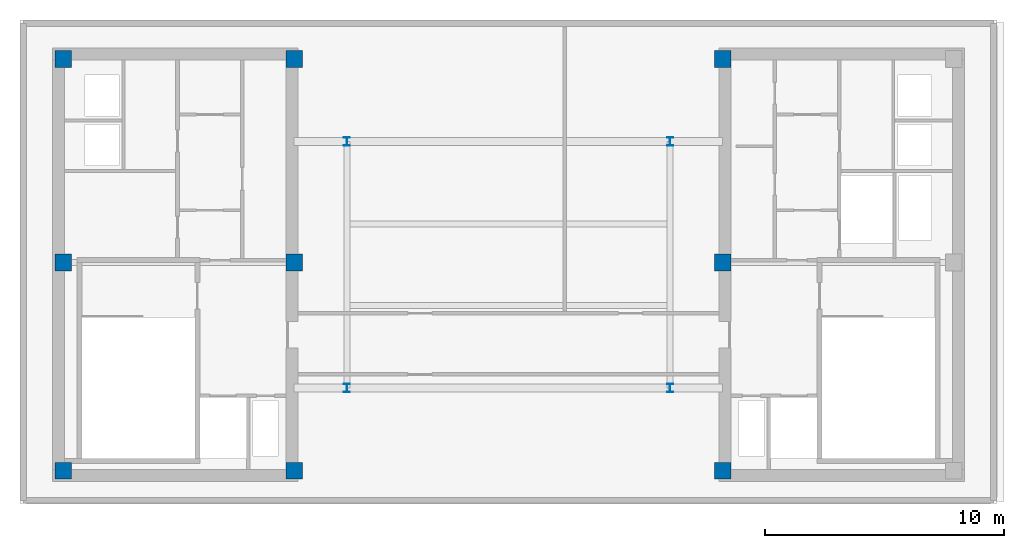
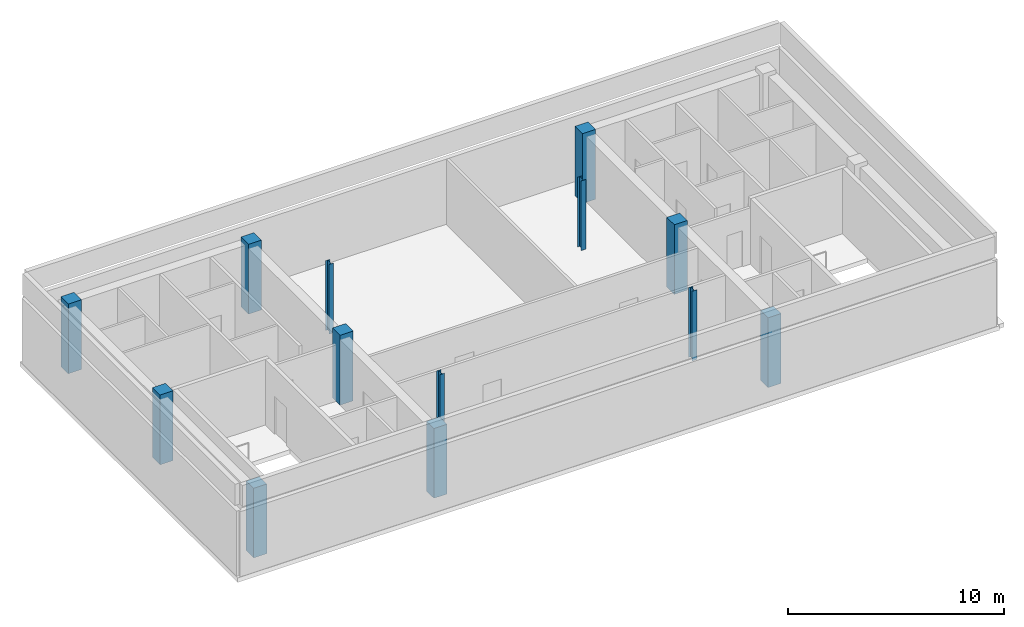
# One storey, part 1 of 4: 13 columns.
"""IFC4 building model written with IfcOpenShell, lengths in metres."""

import ifcopenshell
import ifcopenshell.guid

model = None  # the IFC model being written
_history = None  # IfcOwnerHistory: only IFC2X3 demands one
_inside = {}  # id of a spatial element -> (the spatial element, [elements in it])
_under = {}  # id of a project, library or spatial element -> (it, [spatial elements below it])
_declared = {}  # id of a project -> (the project, [libraries it declares])
_typed = {}  # id of a type object -> (the type object, [elements of that type])
_made_of = {}  # id of a material, layer set ... -> (it, [elements and type objects made of it])


def new_model(schema):
    """Start an empty IFC model of exactly this schema.

    Asked for "IFC4X3", IfcOpenShell would pick the latest addendum, in which some entities
    have other attributes; the version numbers below select the first issue.
    IFC2X3 requires an IfcOwnerHistory on every rooted entity: one is made here for all.
    """
    global model, _history
    if schema == "IFC4X3":
        model = ifcopenshell.file(schema_version=(4, 3, 0, 0))
    else:
        model = ifcopenshell.file(schema=schema)
    _inside.clear()
    _under.clear()
    _declared.clear()
    _typed.clear()
    _made_of.clear()
    _history = None
    if model.schema == "IFC2X3":
        org = make("IfcOrganization", Name="unknown")
        user = make(
            "IfcPersonAndOrganization",
            ThePerson=make("IfcPerson", FamilyName="unknown"),
            TheOrganization=org,
        )
        app = make(
            "IfcApplication",
            ApplicationDeveloper=org,
            Version="unknown",
            ApplicationFullName="unknown",
            ApplicationIdentifier="unknown",
        )
        _history = make(
            "IfcOwnerHistory",
            OwningUser=user,
            OwningApplication=app,
            ChangeAction="ADDED",
            CreationDate=0,
        )
    return model


def make(cls, **values):
    """One entity of the class cls with the attributes given. An attribute that is None is left unset."""
    return model.create_entity(
        cls, **{name: value for name, value in values.items() if value is not None}
    )


def rooted(cls, **values):
    """An entity with a GlobalId (a new one), such as an element, a storey or a relation."""
    return make(cls, GlobalId=ifcopenshell.guid.new(), OwnerHistory=_history, **values)


def si_unit(unit_type, name, prefix=None):
    """IfcSIUnit, for example si_unit("LENGTHUNIT", "METRE", prefix="MILLI")."""
    return make("IfcSIUnit", UnitType=unit_type, Prefix=prefix, Name=name)


def assignment(units):
    """IfcUnitAssignment: the units of a project."""
    return None if units is None else make("IfcUnitAssignment", Units=units)


def point(xyz):
    """IfcCartesianPoint."""
    return None if xyz is None else make("IfcCartesianPoint", Coordinates=xyz)


def direction(xyz):
    """IfcDirection."""
    return None if xyz is None else make("IfcDirection", DirectionRatios=xyz)


def frame(location, z_axis=None, x_axis=None):
    """IfcAxis2Placement3D, a coordinate frame: its origin and axes. An axis left out is left unset."""
    return make(
        "IfcAxis2Placement3D",
        Location=point(location),
        Axis=direction(z_axis),
        RefDirection=direction(x_axis),
    )


def frame_2d(location, x_axis=None):
    """IfcAxis2Placement2D, a coordinate frame in the plane: its origin and x axis."""
    return make(
        "IfcAxis2Placement2D", Location=point(location), RefDirection=direction(x_axis)
    )


def origin():
    """The frame at (0, 0, 0) with its axes left unset."""
    return frame((0.0, 0.0, 0.0))


def origin_2d():
    """The frame at (0, 0) in the plane with its x axis left unset."""
    return frame_2d((0.0, 0.0))


def place(relative_to, where):
    """IfcLocalPlacement: puts the frame where relative to a parent placement (None: the world)."""
    return make(
        "IfcLocalPlacement", PlacementRelTo=relative_to, RelativePlacement=where
    )


def context(
    kind, dimensions, precision=None, world=None, true_north=None, identifier=None
):
    """IfcGeometricRepresentationContext, for example the 3D "Model" context."""
    return make(
        "IfcGeometricRepresentationContext",
        ContextIdentifier=identifier,
        ContextType=kind,
        CoordinateSpaceDimension=dimensions,
        Precision=precision,
        WorldCoordinateSystem=world,
        TrueNorth=true_north,
    )


def subcontext(parent, identifier, kind, view, scale=None):
    """IfcGeometricRepresentationSubContext, for example "Body" below "Model"."""
    return make(
        "IfcGeometricRepresentationSubContext",
        ContextIdentifier=identifier,
        ContextType=kind,
        ParentContext=parent,
        TargetScale=scale,
        TargetView=view,
    )


def project(units=None, contexts=None):
    """IfcProject with its units and contexts."""
    return rooted(
        "IfcProject",
        Name="project",
        RepresentationContexts=contexts,
        UnitsInContext=assignment(units),
    )


def spatial(cls, under=None, at=None, **own):
    """A site, building, storey or space (cls), placed at a placement, below another one or the project."""
    s = rooted(cls, ObjectPlacement=at, **own)
    if under is not None:
        _under.setdefault(under.id(), (under, []))[1].append(s)
    return s


def profile(cls, at=None, kind="AREA", **sizes):
    """A parametric profile (cls). Its sizes go by their IFC names, for example OverallWidth=200.0."""
    return make(cls, ProfileType=kind, Position=at, **sizes)


def rectangle(**sizes):
    """IfcRectangleProfileDef."""
    return profile("IfcRectangleProfileDef", **sizes)


def i_section(**sizes):
    """IfcIShapeProfileDef."""
    return profile("IfcIShapeProfileDef", **sizes)


def extrude(swept, where, along, depth):
    """IfcExtrudedAreaSolid: the profile swept, set in the frame where, extruded along a direction by depth."""
    return make(
        "IfcExtrudedAreaSolid",
        SweptArea=swept,
        Position=where,
        ExtrudedDirection=direction(along),
        Depth=depth,
    )


def shape(context_of_items, identifier, shape_type, items):
    """IfcShapeRepresentation: the items that make up one representation, for example the "Body"."""
    return make(
        "IfcShapeRepresentation",
        ContextOfItems=context_of_items,
        RepresentationIdentifier=identifier,
        RepresentationType=shape_type,
        Items=items,
    )


def material(Name=None, Category=None):
    """IfcMaterial."""
    return make("IfcMaterial", Name=Name, Category=Category)


def material_profile(
    of_material, cross_section, Name=None, Category=None, Priority=None
):
    """IfcMaterialProfile: a cross section and its material."""
    return make(
        "IfcMaterialProfile",
        Name=Name,
        Material=of_material,
        Profile=cross_section,
        Priority=Priority,
        Category=Category,
    )


def profile_set(profiles, Name=None, composite=None):
    """IfcMaterialProfileSet."""
    return make(
        "IfcMaterialProfileSet",
        Name=Name,
        MaterialProfiles=profiles,
        CompositeProfile=composite,
    )


def made_of(thing, what):
    """Note that an element or type object is made of a material, layer set ...; save() writes the relation."""
    if what is not None:
        _made_of.setdefault(what.id(), (what, []))[1].append(thing)
    return thing


def type_object(cls, material=None, **own):
    """A type object (cls), such as IfcWallType, which elements share."""
    return made_of(rooted(cls, **own), material)


def element(
    cls,
    number,
    at=None,
    inside=None,
    cuts=None,
    type_object=None,
    material=None,
    context=None,
    identifier="Body",
    shape_type=None,
    held_by="IfcProductDefinitionShape",
    body=None,
    shapes=None,
    **own,
):
    """One element of the class cls, such as IfcWall. Its Tag is "e" and its number.

    at: its placement. inside: the storey or other place that contains it. cuts: it is an
    opening in that element (IfcRelVoidsElement). A single representation is given by context,
    identifier, shape_type and body (its items); several are given by shapes. held_by: the class
    of the entity that holds the representations. save() writes the other relations.
    """
    e = rooted(cls, Tag="e%d" % number, ObjectPlacement=at, **own)
    if body is not None:
        shapes = [shape(context, identifier, shape_type, body)]
    if shapes is not None:
        e.Representation = make(held_by, Representations=shapes)
    if inside is not None:
        _inside.setdefault(inside.id(), (inside, []))[1].append(e)
    if cuts is not None:
        rooted(
            "IfcRelVoidsElement", RelatingBuildingElement=cuts, RelatedOpeningElement=e
        )
    if type_object is not None:
        _typed.setdefault(type_object.id(), (type_object, []))[1].append(e)
    return made_of(e, material)


def aggregate(whole, parts):
    """IfcRelAggregates: a whole, such as a stair, and the parts it consists of."""
    return rooted("IfcRelAggregates", RelatingObject=whole, RelatedObjects=parts)


def save(model, path):
    """Write the relations noted so far, then the file.

    IfcRelAggregates (storeys below a building ...), IfcRelContainedInSpatialStructure (elements
    in a storey), IfcRelDefinesByType, IfcRelAssociatesMaterial and IfcRelDeclares: one each for
    every whole, place, type object, material and project.
    """
    for whole, parts in _under.values():
        aggregate(whole, parts)
    for where, things in _inside.values():
        rooted(
            "IfcRelContainedInSpatialStructure",
            RelatedElements=things,
            RelatingStructure=where,
        )
    for kind, things in _typed.values():
        rooted("IfcRelDefinesByType", RelatedObjects=things, RelatingType=kind)
    for what, things in _made_of.values():
        rooted("IfcRelAssociatesMaterial", RelatedObjects=things, RelatingMaterial=what)
    for by, libraries in _declared.values():
        rooted("IfcRelDeclares", RelatingContext=by, RelatedDefinitions=libraries)
    model.write(path)


model = new_model("IFC4")

# Units and contexts
model_context = context("Model", 3, precision=1e-05, world=origin(), true_north=direction((0.0, 1.0)))
body_context = subcontext(model_context, "Body", "Model", "MODEL_VIEW")
ifc_project = project(units=[si_unit("LENGTHUNIT", "METRE"), si_unit("AREAUNIT", "SQUARE_METRE"), si_unit("VOLUMEUNIT", "CUBIC_METRE"), si_unit("PLANEANGLEUNIT", "RADIAN"), si_unit("MASSUNIT", "GRAM", prefix="KILO")], contexts=[model_context])

# Site, building, storey
site_placement = place(None, origin())
site = spatial("IfcSite", under=ifc_project, at=site_placement, CompositionType="ELEMENT")
building_placement = place(site_placement, origin())
building = spatial("IfcBuilding", under=site, at=building_placement, Name="Velakula Bourse", CompositionType="ELEMENT")
storey_placement = place(building_placement, frame((0.0, 0.0, 308.550048828125)))
storey = spatial("IfcBuildingStorey", under=building, at=storey_placement, Name="L84", CompositionType="ELEMENT", Elevation=308.550048828125)

# Columns
ifc_material_1 = material(Name="Steel IS 2062 Grade 350 (E350)", Category="steel")
ifc_material_profile_1 = material_profile(ifc_material_1, i_section(OverallWidth=0.25, OverallDepth=0.35009765625, WebThickness=0.010009765625, FlangeThickness=0.01171875, at=origin_2d()), Name="Steel IS 2062 Grade 350 (E350)")
ifc_profile_set_1 = profile_set([ifc_material_profile_1], Name="Steel IS 2062 Grade 350 (E350)")
column_type_1 = type_object("IfcColumnType", Name="COL-CRN-350", PredefinedType="COLUMN", material=ifc_profile_set_1)
for number, where, z_axis, x_axis, name in (
    (1, (-6.75, -5.14990234375, 0.0), (0.0, 0.0, 1.0), (1.0, 0.0, 0.0), "L84 Central Spine Column 01"),
    (2, (-6.75, 5.14990234375, 0.0), (0.0, 0.0, 1.0), (1.0, 0.0, 0.0), "L84 Central Spine Column 02"),
    (3, (6.75, -5.14990234375, 0.0), (0.0, 0.0, 1.0), (1.0, 0.0, 0.0), "L84 Central Spine Column 03"),
    (4, (6.75, 5.14990234375, 0.0), (0.0, 0.0, 1.0), (1.0, 0.0, 0.0), "L84 Central Spine Column 04"),
):
    element("IfcColumn", number, at=place(storey_placement, frame(where, z_axis=z_axis, x_axis=x_axis)), inside=storey, type_object=column_type_1, Name=name, PredefinedType="COLUMN", context=body_context, shape_type="SweptSolid", body=[
        extrude(i_section(OverallWidth=0.25, OverallDepth=0.35009765625, WebThickness=0.010009765625, FlangeThickness=0.01171875, at=origin_2d()), origin(), (0.0, 0.0, 1.0), 3.949951171875),
    ])
ifc_material_2 = material(Name="Concrete M50 (fck 50 MPa)", Category="concrete")
ifc_material_profile_2 = material_profile(ifc_material_2, rectangle(XDim=0.699951171875, YDim=0.699951171875, at=origin_2d()), Name="Concrete M50 (fck 50 MPa)")
ifc_profile_set_2 = profile_set([ifc_material_profile_2], Name="Concrete M50 (fck 50 MPa)")
column_type_2 = type_object("IfcColumnType", Name="COL-RC-700", PredefinedType="COLUMN", material=ifc_profile_set_2)
for number, where, z_axis, x_axis, name in (
    (5, (-8.949951171875, -8.60009765625, 0.0), (0.0, 0.0, 1.0), (1.0, 0.0, 0.0), "L84 Core Boundary Column 01"),
    (6, (-8.949951171875, 0.10009765625, 0.0), (0.0, 0.0, 1.0), (1.0, 0.0, 0.0), "L84 Core Boundary Column 02"),
    (7, (-8.949951171875, 8.60009765625, 0.0), (0.0, 0.0, 1.0), (1.0, 0.0, 0.0), "L84 Core Boundary Column 03"),
    (8, (-18.60009765625, -8.60009765625, 0.0), (0.0, 0.0, 1.0), (1.0, 0.0, 0.0), "L84 Core Boundary Column 04"),
    (9, (-18.60009765625, 0.10009765625, 0.0), (0.0, 0.0, 1.0), (1.0, 0.0, 0.0), "L84 Core Boundary Column 05"),
    (10, (-18.60009765625, 8.60009765625, 0.0), (0.0, 0.0, 1.0), (1.0, 0.0, 0.0), "L84 Core Boundary Column 06"),
    (11, (8.949951171875, -8.60009765625, 0.0), (0.0, 0.0, 1.0), (1.0, 0.0, 0.0), "L84 Core Boundary Column 07"),
    (12, (8.949951171875, 0.10009765625, 0.0), (0.0, 0.0, 1.0), (1.0, 0.0, 0.0), "L84 Core Boundary Column 08"),
    (13, (8.949951171875, 8.60009765625, 0.0), (0.0, 0.0, 1.0), (1.0, 0.0, 0.0), "L84 Core Boundary Column 09"),
):
    element("IfcColumn", number, at=place(storey_placement, frame(where, z_axis=z_axis, x_axis=x_axis)), inside=storey, type_object=column_type_2, Name=name, PredefinedType="COLUMN", context=body_context, shape_type="SweptSolid", body=[
        extrude(rectangle(XDim=0.699951171875, YDim=0.699951171875, at=origin_2d()), origin(), (0.0, 0.0, 1.0), 3.949951171875),
    ])

save(model, "model.ifc")
